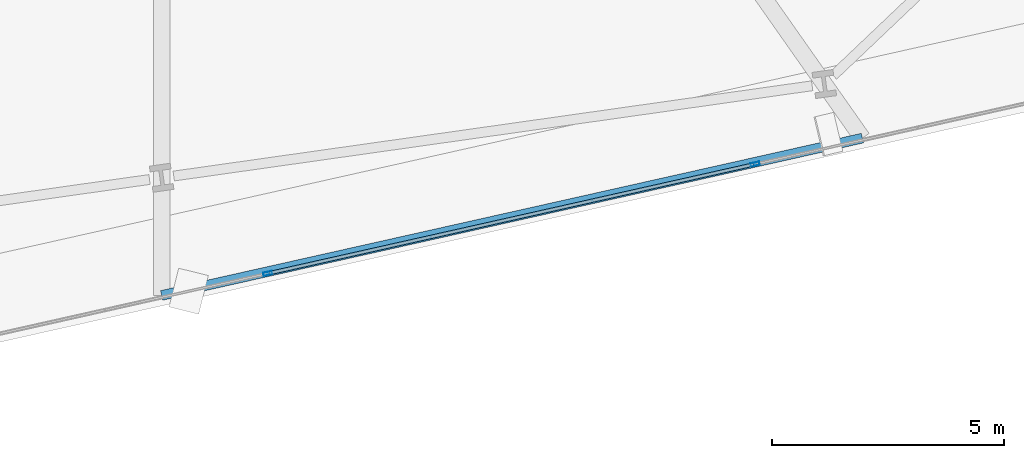
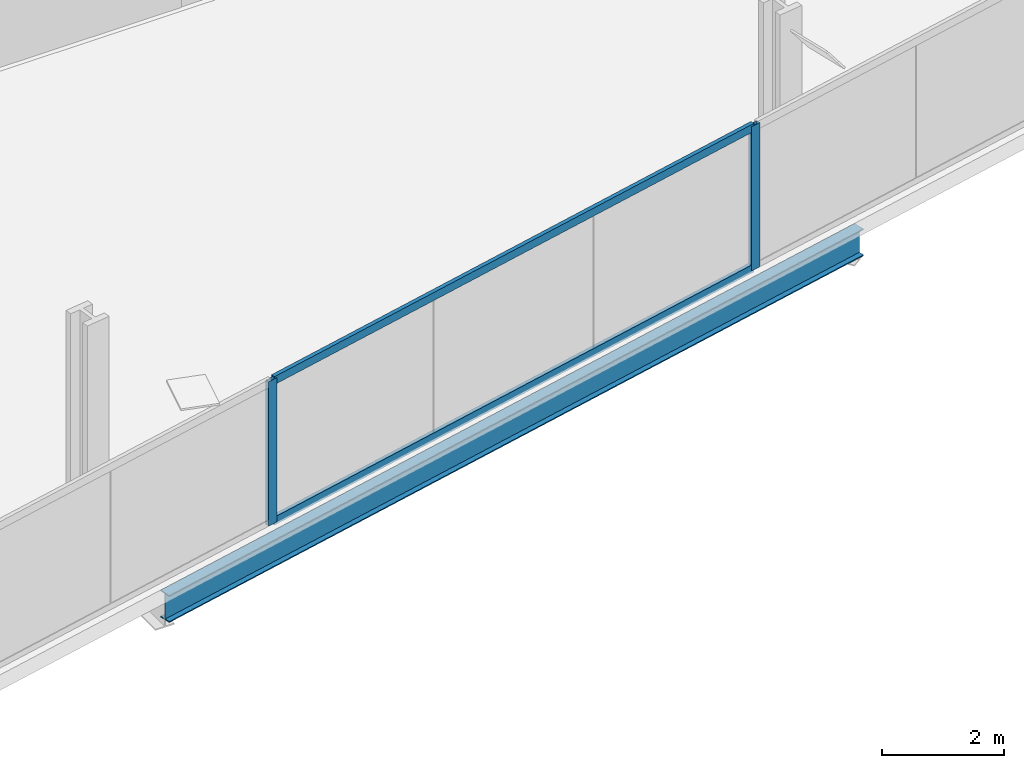
# One storey, part 7 of 32: 4 members, 1 beam, 1 element without a shape of its own.
"""IFC4 building model written with IfcOpenShell, lengths in metres."""

import ifcopenshell
import ifcopenshell.guid

model = None  # the IFC model being written
_history = None  # IfcOwnerHistory: only IFC2X3 demands one
_inside = {}  # id of a spatial element -> (the spatial element, [elements in it])
_under = {}  # id of a project, library or spatial element -> (it, [spatial elements below it])
_declared = {}  # id of a project -> (the project, [libraries it declares])
_typed = {}  # id of a type object -> (the type object, [elements of that type])
_made_of = {}  # id of a material, layer set ... -> (it, [elements and type objects made of it])


def new_model(schema):
    """Start an empty IFC model of exactly this schema.

    Asked for "IFC4X3", IfcOpenShell would pick the latest addendum, in which some entities
    have other attributes; the version numbers below select the first issue.
    IFC2X3 requires an IfcOwnerHistory on every rooted entity: one is made here for all.
    """
    global model, _history
    if schema == "IFC4X3":
        model = ifcopenshell.file(schema_version=(4, 3, 0, 0))
    else:
        model = ifcopenshell.file(schema=schema)
    _inside.clear()
    _under.clear()
    _declared.clear()
    _typed.clear()
    _made_of.clear()
    _history = None
    if model.schema == "IFC2X3":
        org = make("IfcOrganization", Name="unknown")
        user = make(
            "IfcPersonAndOrganization",
            ThePerson=make("IfcPerson", FamilyName="unknown"),
            TheOrganization=org,
        )
        app = make(
            "IfcApplication",
            ApplicationDeveloper=org,
            Version="unknown",
            ApplicationFullName="unknown",
            ApplicationIdentifier="unknown",
        )
        _history = make(
            "IfcOwnerHistory",
            OwningUser=user,
            OwningApplication=app,
            ChangeAction="ADDED",
            CreationDate=0,
        )
    return model


def make(cls, **values):
    """One entity of the class cls with the attributes given. An attribute that is None is left unset."""
    return model.create_entity(
        cls, **{name: value for name, value in values.items() if value is not None}
    )


def rooted(cls, **values):
    """An entity with a GlobalId (a new one), such as an element, a storey or a relation."""
    return make(cls, GlobalId=ifcopenshell.guid.new(), OwnerHistory=_history, **values)


def si_unit(unit_type, name, prefix=None):
    """IfcSIUnit, for example si_unit("LENGTHUNIT", "METRE", prefix="MILLI")."""
    return make("IfcSIUnit", UnitType=unit_type, Prefix=prefix, Name=name)


def assignment(units):
    """IfcUnitAssignment: the units of a project."""
    return None if units is None else make("IfcUnitAssignment", Units=units)


def point(xyz):
    """IfcCartesianPoint."""
    return None if xyz is None else make("IfcCartesianPoint", Coordinates=xyz)


def direction(xyz):
    """IfcDirection."""
    return None if xyz is None else make("IfcDirection", DirectionRatios=xyz)


def frame(location, z_axis=None, x_axis=None):
    """IfcAxis2Placement3D, a coordinate frame: its origin and axes. An axis left out is left unset."""
    return make(
        "IfcAxis2Placement3D",
        Location=point(location),
        Axis=direction(z_axis),
        RefDirection=direction(x_axis),
    )


def frame_2d(location, x_axis=None):
    """IfcAxis2Placement2D, a coordinate frame in the plane: its origin and x axis."""
    return make(
        "IfcAxis2Placement2D", Location=point(location), RefDirection=direction(x_axis)
    )


def origin():
    """The frame at (0, 0, 0) with its axes left unset."""
    return frame((0.0, 0.0, 0.0))


def origin_2d():
    """The frame at (0, 0) in the plane with its x axis left unset."""
    return frame_2d((0.0, 0.0))


def place(relative_to, where):
    """IfcLocalPlacement: puts the frame where relative to a parent placement (None: the world)."""
    return make(
        "IfcLocalPlacement", PlacementRelTo=relative_to, RelativePlacement=where
    )


def context(
    kind, dimensions, precision=None, world=None, true_north=None, identifier=None
):
    """IfcGeometricRepresentationContext, for example the 3D "Model" context."""
    return make(
        "IfcGeometricRepresentationContext",
        ContextIdentifier=identifier,
        ContextType=kind,
        CoordinateSpaceDimension=dimensions,
        Precision=precision,
        WorldCoordinateSystem=world,
        TrueNorth=true_north,
    )


def subcontext(parent, identifier, kind, view, scale=None):
    """IfcGeometricRepresentationSubContext, for example "Body" below "Model"."""
    return make(
        "IfcGeometricRepresentationSubContext",
        ContextIdentifier=identifier,
        ContextType=kind,
        ParentContext=parent,
        TargetScale=scale,
        TargetView=view,
    )


def project(units=None, contexts=None):
    """IfcProject with its units and contexts."""
    return rooted(
        "IfcProject",
        Name="project",
        RepresentationContexts=contexts,
        UnitsInContext=assignment(units),
    )


def spatial(cls, under=None, at=None, **own):
    """A site, building, storey or space (cls), placed at a placement, below another one or the project."""
    s = rooted(cls, ObjectPlacement=at, **own)
    if under is not None:
        _under.setdefault(under.id(), (under, []))[1].append(s)
    return s


def profile(cls, at=None, kind="AREA", **sizes):
    """A parametric profile (cls). Its sizes go by their IFC names, for example OverallWidth=200.0."""
    return make(cls, ProfileType=kind, Position=at, **sizes)


def hollow_rectangle(**sizes):
    """IfcRectangleHollowProfileDef."""
    return profile("IfcRectangleHollowProfileDef", **sizes)


def i_section(**sizes):
    """IfcIShapeProfileDef."""
    return profile("IfcIShapeProfileDef", **sizes)


def extrude(swept, where, along, depth):
    """IfcExtrudedAreaSolid: the profile swept, set in the frame where, extruded along a direction by depth."""
    return make(
        "IfcExtrudedAreaSolid",
        SweptArea=swept,
        Position=where,
        ExtrudedDirection=direction(along),
        Depth=depth,
    )


def shape(context_of_items, identifier, shape_type, items):
    """IfcShapeRepresentation: the items that make up one representation, for example the "Body"."""
    return make(
        "IfcShapeRepresentation",
        ContextOfItems=context_of_items,
        RepresentationIdentifier=identifier,
        RepresentationType=shape_type,
        Items=items,
    )


def material(Name=None, Category=None):
    """IfcMaterial."""
    return make("IfcMaterial", Name=Name, Category=Category)


def material_profile(
    of_material, cross_section, Name=None, Category=None, Priority=None
):
    """IfcMaterialProfile: a cross section and its material."""
    return make(
        "IfcMaterialProfile",
        Name=Name,
        Material=of_material,
        Profile=cross_section,
        Priority=Priority,
        Category=Category,
    )


def profile_set(profiles, Name=None, composite=None):
    """IfcMaterialProfileSet."""
    return make(
        "IfcMaterialProfileSet",
        Name=Name,
        MaterialProfiles=profiles,
        CompositeProfile=composite,
    )


def made_of(thing, what):
    """Note that an element or type object is made of a material, layer set ...; save() writes the relation."""
    if what is not None:
        _made_of.setdefault(what.id(), (what, []))[1].append(thing)
    return thing


def type_object(cls, material=None, **own):
    """A type object (cls), such as IfcWallType, which elements share."""
    return made_of(rooted(cls, **own), material)


def element(
    cls,
    number,
    at=None,
    inside=None,
    cuts=None,
    type_object=None,
    material=None,
    context=None,
    identifier="Body",
    shape_type=None,
    held_by="IfcProductDefinitionShape",
    body=None,
    shapes=None,
    **own,
):
    """One element of the class cls, such as IfcWall. Its Tag is "e" and its number.

    at: its placement. inside: the storey or other place that contains it. cuts: it is an
    opening in that element (IfcRelVoidsElement). A single representation is given by context,
    identifier, shape_type and body (its items); several are given by shapes. held_by: the class
    of the entity that holds the representations. save() writes the other relations.
    """
    e = rooted(cls, Tag="e%d" % number, ObjectPlacement=at, **own)
    if body is not None:
        shapes = [shape(context, identifier, shape_type, body)]
    if shapes is not None:
        e.Representation = make(held_by, Representations=shapes)
    if inside is not None:
        _inside.setdefault(inside.id(), (inside, []))[1].append(e)
    if cuts is not None:
        rooted(
            "IfcRelVoidsElement", RelatingBuildingElement=cuts, RelatedOpeningElement=e
        )
    if type_object is not None:
        _typed.setdefault(type_object.id(), (type_object, []))[1].append(e)
    return made_of(e, material)


def aggregate(whole, parts):
    """IfcRelAggregates: a whole, such as a stair, and the parts it consists of."""
    return rooted("IfcRelAggregates", RelatingObject=whole, RelatedObjects=parts)


def save(model, path):
    """Write the relations noted so far, then the file.

    IfcRelAggregates (storeys below a building ...), IfcRelContainedInSpatialStructure (elements
    in a storey), IfcRelDefinesByType, IfcRelAssociatesMaterial and IfcRelDeclares: one each for
    every whole, place, type object, material and project.
    """
    for whole, parts in _under.values():
        aggregate(whole, parts)
    for where, things in _inside.values():
        rooted(
            "IfcRelContainedInSpatialStructure",
            RelatedElements=things,
            RelatingStructure=where,
        )
    for kind, things in _typed.values():
        rooted("IfcRelDefinesByType", RelatedObjects=things, RelatingType=kind)
    for what, things in _made_of.values():
        rooted("IfcRelAssociatesMaterial", RelatedObjects=things, RelatingMaterial=what)
    for by, libraries in _declared.values():
        rooted("IfcRelDeclares", RelatingContext=by, RelatedDefinitions=libraries)
    model.write(path)


model = new_model("IFC4")

# Units and contexts
model_context = context("Model", 3, precision=1e-05, world=origin(), true_north=direction((0.0, 1.0)))
body_context = subcontext(model_context, "Body", "Model", "MODEL_VIEW")
ifc_project = project(units=[si_unit("LENGTHUNIT", "METRE"), si_unit("AREAUNIT", "SQUARE_METRE"), si_unit("VOLUMEUNIT", "CUBIC_METRE"), si_unit("PLANEANGLEUNIT", "RADIAN"), si_unit("MASSUNIT", "GRAM", prefix="KILO")], contexts=[model_context])

# Site, building, storey
site_placement = place(None, origin())
site = spatial("IfcSite", under=ifc_project, at=site_placement, CompositionType="ELEMENT")
building_placement = place(site_placement, origin())
building = spatial("IfcBuilding", under=site, at=building_placement, Name="Haldenkirk Collegiate Tower", CompositionType="ELEMENT")
storey_placement = place(building_placement, frame((0.0, 0.0, 70.199951171875)))
storey = spatial("IfcBuildingStorey", under=building, at=storey_placement, Name="L16", CompositionType="ELEMENT", Elevation=70.199951171875)

# Beam
ifc_material_1 = material(Name="Steel ASTM A992 Grade 50", Category="steel")
ifc_material_profile_1 = material_profile(ifc_material_1, i_section(OverallWidth=0.2119140625, OverallDepth=0.5439453125, WebThickness=0.01318359375, FlangeThickness=0.021240234375, at=origin_2d()), Name="W21X83")
ifc_profile_set_1 = profile_set([ifc_material_profile_1], Name="Steel ASTM A992 Grade 50")
beam_type = type_object("IfcBeamType", Name="BM-SPANDREL-W21X83", PredefinedType="SPANDREL", material=ifc_profile_set_1)
beam_placement = place(storey_placement, frame((39.10888671875, 1.480712890625, -0.58203125), z_axis=(0.975728005962, 0.218985977593, 0.0), x_axis=(-0.218985977593, 0.975728005962, 0.0)))
element("IfcBeam", 1, at=beam_placement, inside=storey, type_object=beam_type, Name="L16 outer facade edge beam 1", PredefinedType="SPANDREL", context=body_context, shape_type="SweptSolid", body=[
    extrude(i_section(OverallWidth=0.2119140625, OverallDepth=0.5439453125, WebThickness=0.01318359375, FlangeThickness=0.021240234375, at=origin_2d()), origin(), (0.0, 0.0, 1.0), 15.489990234375),
])

# Curtain wall, members
ifc_material_2 = material(Name="Anodised architectural bronze aluminium", Category="aluminium")
curtain_wall_type = type_object("IfcCurtainWallType", Name="CW-SYS2-CONCAVE", PredefinedType="USERDEFINED", material=ifc_material_2)
curtain_wall_placement = place(storey_placement, origin())
curtain_wall = element("IfcCurtainWall", 2, at=curtain_wall_placement, inside=storey, type_object=curtain_wall_type, Name="L16 South concave recessed bronze-anodised curtain wall", ObjectType="UNITISED CURTAIN WALL", PredefinedType="USERDEFINED")
ifc_material_profile_2 = material_profile(ifc_material_2, hollow_rectangle(XDim=0.074951171875, YDim=0.18994140625, WallThickness=0.0048828125, at=origin_2d()), Name="CW-MUL-02")
ifc_profile_set_2 = profile_set([ifc_material_profile_2], Name="Anodised architectural bronze aluminium")
member_type_1 = type_object("IfcMemberType", Name="CW-MUL-02", PredefinedType="MULLION", material=ifc_profile_set_2)
member_1_placement = place(storey_placement, frame((51.91064453125, 4.312744140625, 0.0), z_axis=(0.0, 0.0, 1.0), x_axis=(0.218993578578, -0.975726300015, 0.0)))
member_1 = element("IfcMember", 3, at=member_1_placement, type_object=member_type_1, Name="CW-02 mullion 2", PredefinedType="MULLION", context=body_context, shape_type="SweptSolid", body=[
    extrude(hollow_rectangle(XDim=0.074951171875, YDim=0.18994140625, WallThickness=0.0048828125, at=origin_2d()), origin(), (0.0, 0.0, 1.0), 2.89111328125),
])
member_2_placement = place(storey_placement, frame((41.397216796875, 1.953125, 0.0), z_axis=(0.0, 0.0, 1.0), x_axis=(0.218993578578, -0.975726300015, 0.0)))
member_2 = element("IfcMember", 4, at=member_2_placement, type_object=member_type_1, Name="CW-02 mullion 3", PredefinedType="MULLION", context=body_context, shape_type="SweptSolid", body=[
    extrude(hollow_rectangle(XDim=0.074951171875, YDim=0.18994140625, WallThickness=0.0048828125, at=origin_2d()), origin(), (0.0, 0.0, 1.0), 2.89111328125),
])
ifc_material_profile_3 = material_profile(ifc_material_2, hollow_rectangle(XDim=0.074951171875, YDim=0.159912109375, WallThickness=0.0048828125, at=origin_2d()), Name="CW-TRN-02")
ifc_profile_set_3 = profile_set([ifc_material_profile_3], Name="Anodised architectural bronze aluminium")
member_type_2 = type_object("IfcMemberType", Name="CW-TRN-02", PredefinedType="USERDEFINED", material=ifc_profile_set_3)
member_3_placement = place(storey_placement, frame((51.8740234375, 4.3046875, 0.03759765625), z_axis=(-0.97572530751, -0.218998000643, 0.0), x_axis=(0.218998000643, -0.97572530751, 0.0)))
member_3 = element("IfcMember", 5, at=member_3_placement, type_object=member_type_2, Name="CW-02 transom 2.1", ObjectType="TRANSOM", PredefinedType="USERDEFINED", context=body_context, shape_type="SweptSolid", body=[
    extrude(hollow_rectangle(XDim=0.074951171875, YDim=0.159912109375, WallThickness=0.0048828125, at=origin_2d()), origin(), (0.0, 0.0, 1.0), 10.699951171875),
])
member_4_placement = place(storey_placement, frame((51.8740234375, 4.3046875, 2.853515625), z_axis=(-0.97572530751, -0.218998000643, 0.0), x_axis=(0.218998000643, -0.97572530751, 0.0)))
member_4 = element("IfcMember", 6, at=member_4_placement, type_object=member_type_2, Name="CW-02 transom 2.2", ObjectType="TRANSOM", PredefinedType="USERDEFINED", context=body_context, shape_type="SweptSolid", body=[
    extrude(hollow_rectangle(XDim=0.074951171875, YDim=0.159912109375, WallThickness=0.0048828125, at=origin_2d()), origin(), (0.0, 0.0, 1.0), 10.699951171875),
])
aggregate(curtain_wall, [member_1, member_2, member_3, member_4])

save(model, "model.ifc")
